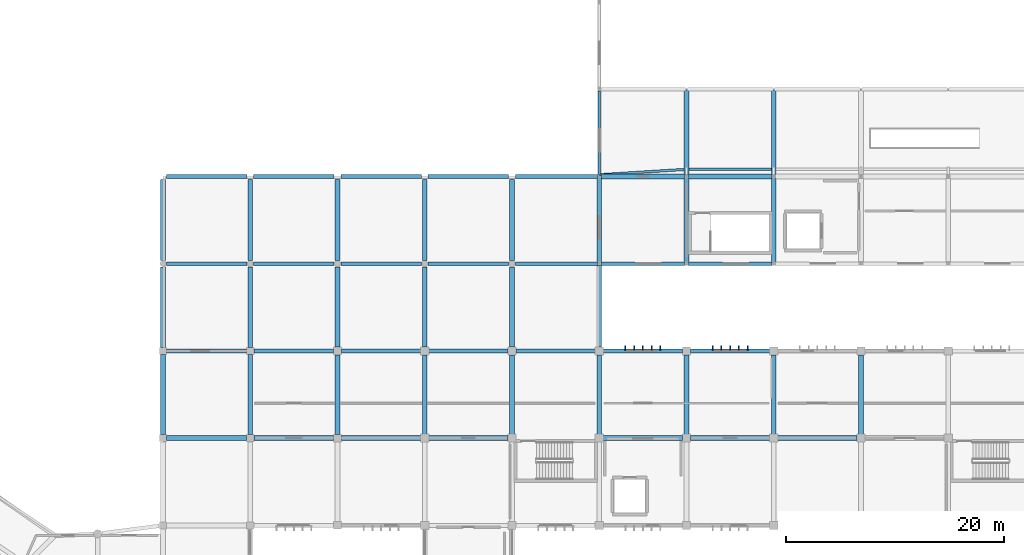
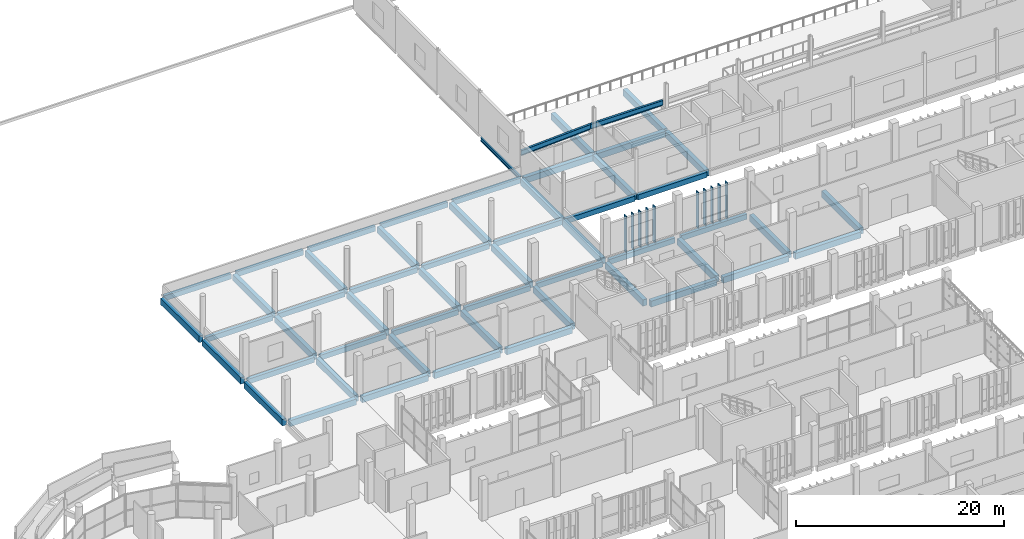
# One storey, part 44 of 106: 56 beams, 10 members.
"""IFC4 building model written with IfcOpenShell, lengths in metres."""

from ifc_helpers import new_model, si_unit, direction, frame, origin, origin_2d, place, context, subcontext, project, spatial, rectangle, i_section, extrude, material, material_profile, profile_set, type_object, element, save


model = new_model("IFC4")

# Units and contexts
model_context = context("Model", 3, precision=1e-05, world=origin(), true_north=direction((0.0, 1.0)))
body_context = subcontext(model_context, "Body", "Model", "MODEL_VIEW")
ifc_project = project(units=[si_unit("LENGTHUNIT", "METRE"), si_unit("AREAUNIT", "SQUARE_METRE"), si_unit("VOLUMEUNIT", "CUBIC_METRE"), si_unit("PLANEANGLEUNIT", "RADIAN"), si_unit("MASSUNIT", "GRAM", prefix="KILO")], contexts=[model_context])

# Site, building, storey
site_placement = place(None, origin())
site = spatial("IfcSite", under=ifc_project, at=site_placement, CompositionType="ELEMENT")
building_placement = place(site_placement, origin())
building = spatial("IfcBuilding", under=site, at=building_placement, Name="Jelvoka-Kovrelna Polytechnic", CompositionType="ELEMENT")
storey_placement = place(building_placement, frame((0.0, 0.0, 4.800048828125)))
storey = spatial("IfcBuildingStorey", under=building, at=storey_placement, Name="L02", CompositionType="ELEMENT", Elevation=4.800048828125)

# Beams
ifc_material_1 = material(Name="Concrete C40/50", Category="concrete")
ifc_material_profile_1 = material_profile(ifc_material_1, rectangle(XDim=0.449951171875, YDim=0.699951171875, at=origin_2d()), Name="RC 450x700")
ifc_profile_set_1 = profile_set([ifc_material_profile_1], Name="Concrete C40/50")
beam_type_1 = type_object("IfcBeamType", Name="Beam_RC_450x700", PredefinedType="BEAM", material=ifc_profile_set_1)
for number, where, z_axis, x_axis, name in (
    (1, (88.164306640625, 88.0, -0.630126953125), (1.0, 0.0, 0.0), (0.0, 1.0, 0.0), "L02 beam 0553"),
    (2, (96.164306640625, 88.0, -0.630126953125), (1.0, 0.0, 0.0), (0.0, 1.0, 0.0), "L02 beam 0554"),
):
    element("IfcBeam", number, at=place(storey_placement, frame(where, z_axis=z_axis, x_axis=x_axis)), inside=storey, type_object=beam_type_1, Name=name, PredefinedType="BEAM", context=body_context, shape_type="SweptSolid", body=[
        extrude(rectangle(XDim=0.449951171875, YDim=0.699951171875, at=origin_2d()), origin(), (0.0, 0.0, 1.0), 7.67138671875),
    ])
beam_1_placement = place(storey_placement, frame((56.330078125, 64.0, -0.614990234375), z_axis=(1.0, 0.0, 0.0), x_axis=(0.0, 1.0, 0.0)))
element("IfcBeam", 3, at=beam_1_placement, inside=storey, type_object=beam_type_1, Name="L02 beam 0762", PredefinedType="BEAM", context=body_context, shape_type="SweptSolid", body=[
    extrude(rectangle(XDim=0.449951171875, YDim=0.699951171875, at=origin_2d()), origin(), (0.0, 0.0, 1.0), 7.31494140625),
])
for number, where, z_axis, x_axis, name in (
    (4, (64.35498046875, 64.0, -0.614990234375), (1.0, 0.0, 0.0), (0.0, 1.0, 0.0), "L02 beam 0763"),
    (5, (72.35498046875, 64.0, -0.614990234375), (1.0, 0.0, 0.0), (0.0, 1.0, 0.0), "L02 beam 0764"),
    (6, (88.35498046875, 64.0, -0.614990234375), (1.0, 0.0, 0.0), (0.0, 1.0, 0.0), "L02 beam 0765"),
    (7, (96.35498046875, 64.0, -0.614990234375), (1.0, 0.0, 0.0), (0.0, 1.0, 0.0), "L02 beam 0766"),
    (8, (104.35498046875, 64.0, -0.614990234375), (1.0, 0.0, 0.0), (0.0, 1.0, 0.0), "L02 beam 0767"),
):
    element("IfcBeam", number, at=place(storey_placement, frame(where, z_axis=z_axis, x_axis=x_axis)), inside=storey, type_object=beam_type_1, Name=name, PredefinedType="BEAM", context=body_context, shape_type="SweptSolid", body=[
        extrude(rectangle(XDim=0.449951171875, YDim=0.699951171875, at=origin_2d()), origin(), (0.0, 0.0, 1.0), 7.2900390625),
    ])
beam_2_placement = place(storey_placement, frame((48.330078125, 64.0, -0.614990234375), z_axis=(1.0, 0.0, 0.0), x_axis=(0.0, 1.0, 0.0)))
element("IfcBeam", 9, at=beam_2_placement, inside=storey, type_object=beam_type_1, Name="L02 beam 0845", PredefinedType="BEAM", context=body_context, shape_type="SweptSolid", body=[
    extrude(rectangle(XDim=0.449951171875, YDim=0.699951171875, at=origin_2d()), origin(), (0.0, 0.0, 1.0), 7.33984375),
])
ifc_material_2 = material(Name="Concrete C40/50", Category="concrete")
ifc_material_profile_2 = material_profile(ifc_material_2, rectangle(XDim=0.449951171875, YDim=0.75, at=origin_2d()), Name="RC 450x750")
ifc_profile_set_2 = profile_set([ifc_material_profile_2], Name="Concrete C40/50")
beam_type_2 = type_object("IfcBeamType", Name="Beam_RC_450x750", PredefinedType="BEAM", material=ifc_profile_set_2)
for number, where, z_axis, x_axis, name in (
    (10, (88.0, 80.15771484375, -0.655029296875), (0.0, 1.0, 0.0), (-1.0, 0.0, 0.0), "L02 beam 0567"),
    (11, (96.0, 80.15771484375, -0.655029296875), (0.0, 1.0, 0.0), (-1.0, 0.0, 0.0), "L02 beam 0568"),
):
    element("IfcBeam", number, at=place(storey_placement, frame(where, z_axis=z_axis, x_axis=x_axis)), inside=storey, type_object=beam_type_2, Name=name, PredefinedType="BEAM", context=body_context, shape_type="SweptSolid", body=[
        extrude(rectangle(XDim=0.449951171875, YDim=0.75, at=origin_2d()), origin(), (0.0, 0.0, 1.0), 7.6845703125),
    ])
beam_3_placement = place(storey_placement, frame((96.0, 88.15771484375, -0.655029296875), z_axis=(0.0, 1.0, 0.0), x_axis=(-1.0, 0.0, 0.0)))
element("IfcBeam", 12, at=beam_3_placement, inside=storey, type_object=beam_type_2, Name="L02 beam 0569", PredefinedType="BEAM", context=body_context, shape_type="SweptSolid", body=[
    extrude(rectangle(XDim=0.449951171875, YDim=0.75, at=origin_2d()), origin(), (0.0, 0.0, 1.0), 7.735107421875),
])
beam_4_placement = place(storey_placement, frame((104.0, 80.15771484375, -0.655029296875), z_axis=(0.0, 1.0, 0.0), x_axis=(-1.0, 0.0, 0.0)))
element("IfcBeam", 13, at=beam_4_placement, inside=storey, type_object=beam_type_2, Name="L02 beam 0570", PredefinedType="BEAM", context=body_context, shape_type="SweptSolid", body=[
    extrude(rectangle(XDim=0.449951171875, YDim=0.75, at=origin_2d()), origin(), (0.0, 0.0, 1.0), 7.6845703125),
])
beam_5_placement = place(storey_placement, frame((104.0, 88.15771484375, -0.655029296875), z_axis=(0.0, 1.0, 0.0), x_axis=(-1.0, 0.0, 0.0)))
element("IfcBeam", 14, at=beam_5_placement, inside=storey, type_object=beam_type_2, Name="L02 beam 0571", PredefinedType="BEAM", context=body_context, shape_type="SweptSolid", body=[
    extrude(rectangle(XDim=0.449951171875, YDim=0.75, at=origin_2d()), origin(), (0.0, 0.0, 1.0), 7.757568359375),
])
beam_6_placement = place(storey_placement, frame((56.0, 64.330078125, -0.64013671875), z_axis=(0.0, 1.0, 0.0), x_axis=(-1.0, 0.0, 0.0)))
element("IfcBeam", 15, at=beam_6_placement, inside=storey, type_object=beam_type_2, Name="L02 beam 0776", PredefinedType="BEAM", context=body_context, shape_type="SweptSolid", body=[
    extrude(rectangle(XDim=0.449951171875, YDim=0.75, at=origin_2d()), origin(), (0.0, 0.0, 1.0), 7.33984375),
])
for number, where, z_axis, x_axis, name in (
    (16, (64.0, 64.35498046875, -0.64013671875), (0.0, 1.0, 0.0), (-1.0, 0.0, 0.0), "L02 beam 0778"),
    (17, (72.0, 64.35498046875, -0.64013671875), (0.0, 1.0, 0.0), (-1.0, 0.0, 0.0), "L02 beam 0780"),
    (18, (80.0, 64.35498046875, -0.64013671875), (0.0, 1.0, 0.0), (-1.0, 0.0, 0.0), "L02 beam 0782"),
    (19, (88.0, 64.35498046875, -0.64013671875), (0.0, 1.0, 0.0), (-1.0, 0.0, 0.0), "L02 beam 0784"),
    (20, (96.0, 64.35498046875, -0.64013671875), (0.0, 1.0, 0.0), (-1.0, 0.0, 0.0), "L02 beam 0786"),
    (21, (104.0, 64.35498046875, -0.64013671875), (0.0, 1.0, 0.0), (-1.0, 0.0, 0.0), "L02 beam 0788"),
    (22, (112.0, 64.35498046875, -0.64013671875), (0.0, 1.0, 0.0), (-1.0, 0.0, 0.0), "L02 beam 0790"),
):
    element("IfcBeam", number, at=place(storey_placement, frame(where, z_axis=z_axis, x_axis=x_axis)), inside=storey, type_object=beam_type_2, Name=name, PredefinedType="BEAM", context=body_context, shape_type="SweptSolid", body=[
        extrude(rectangle(XDim=0.449951171875, YDim=0.75, at=origin_2d()), origin(), (0.0, 0.0, 1.0), 7.2900390625),
    ])
beam_7_placement = place(storey_placement, frame((48.0, 64.330078125, -0.64013671875), z_axis=(0.0, 1.0, 0.0), x_axis=(-1.0, 0.0, 0.0)))
element("IfcBeam", 23, at=beam_7_placement, inside=storey, type_object=beam_type_2, Name="L02 beam 0852", PredefinedType="BEAM", context=body_context, shape_type="SweptSolid", body=[
    extrude(rectangle(XDim=0.449951171875, YDim=0.75, at=origin_2d()), origin(), (0.0, 0.0, 1.0), 7.33984375),
])
for number, where, z_axis, x_axis, name in (
    (24, (48.0, 72.330078125, -0.594970703125), (0.0, 1.0, 0.0), (-1.0, 0.0, 0.0), "L02 beam 2017"),
    (25, (56.0, 72.330078125, -0.594970703125), (0.0, 1.0, 0.0), (-1.0, 0.0, 0.0), "L02 beam 2018"),
):
    element("IfcBeam", number, at=place(storey_placement, frame(where, z_axis=z_axis, x_axis=x_axis)), inside=storey, type_object=beam_type_2, Name=name, PredefinedType="BEAM", context=body_context, shape_type="SweptSolid", body=[
        extrude(rectangle(XDim=0.449951171875, YDim=0.75, at=origin_2d()), origin(), (0.0, 0.0, 1.0), 7.364990234375),
    ])
for number, where, z_axis, x_axis, name in (
    (26, (64.0, 72.35498046875, -0.594970703125), (0.0, 1.0, 0.0), (-1.0, 0.0, 0.0), "L02 beam 2019"),
    (27, (72.0, 72.35498046875, -0.594970703125), (0.0, 1.0, 0.0), (-1.0, 0.0, 0.0), "L02 beam 2020"),
    (28, (80.0, 72.35498046875, -0.594970703125), (0.0, 1.0, 0.0), (-1.0, 0.0, 0.0), "L02 beam 2021"),
):
    element("IfcBeam", number, at=place(storey_placement, frame(where, z_axis=z_axis, x_axis=x_axis)), inside=storey, type_object=beam_type_2, Name=name, PredefinedType="BEAM", context=body_context, shape_type="SweptSolid", body=[
        extrude(rectangle(XDim=0.449951171875, YDim=0.75, at=origin_2d()), origin(), (0.0, 0.0, 1.0), 7.340087890625),
    ])
beam_8_placement = place(storey_placement, frame((88.0, 72.35498046875, -0.594970703125), z_axis=(0.0, 1.0, 0.0), x_axis=(-1.0, 0.0, 0.0)))
element("IfcBeam", 29, at=beam_8_placement, inside=storey, type_object=beam_type_2, Name="L02 beam 2022", PredefinedType="BEAM", context=body_context, shape_type="SweptSolid", body=[
    extrude(rectangle(XDim=0.449951171875, YDim=0.75, at=origin_2d()), origin(), (0.0, 0.0, 1.0), 7.4873046875),
])
for number, where, z_axis, x_axis, name in (
    (30, (48.0, 80.304931640625, -0.56494140625), (0.0, 1.0, 0.0), (-1.0, 0.0, 0.0), "L02 beam 2028"),
    (31, (56.0, 80.304931640625, -0.56494140625), (0.0, 1.0, 0.0), (-1.0, 0.0, 0.0), "L02 beam 2029"),
    (32, (64.0, 80.304931640625, -0.56494140625), (0.0, 1.0, 0.0), (-1.0, 0.0, 0.0), "L02 beam 2030"),
    (33, (72.0, 80.304931640625, -0.56494140625), (0.0, 1.0, 0.0), (-1.0, 0.0, 0.0), "L02 beam 2031"),
    (34, (80.0, 80.304931640625, -0.56494140625), (0.0, 1.0, 0.0), (-1.0, 0.0, 0.0), "L02 beam 2032"),
):
    element("IfcBeam", number, at=place(storey_placement, frame(where, z_axis=z_axis, x_axis=x_axis)), inside=storey, type_object=beam_type_2, Name=name, PredefinedType="BEAM", context=body_context, shape_type="SweptSolid", body=[
        extrude(rectangle(XDim=0.449951171875, YDim=0.75, at=origin_2d()), origin(), (0.0, 0.0, 1.0), 7.39013671875),
    ])
ifc_material_3 = material(Name="Structural steel S355JR", Category="steel")
ifc_material_profile_3 = material_profile(ifc_material_3, i_section(OverallWidth=0.2275390625, OverallDepth=0.6025390625, WebThickness=0.010498046875, FlangeThickness=0.014892578125, FilletRadius=0.0126953125, at=origin_2d()), Name="610x229x101 UB")
ifc_profile_set_3 = profile_set([ifc_material_profile_3], Name="Structural steel S355JR")
beam_type_3 = type_object("IfcBeamType", Name="CraneGirder_UB610", PredefinedType="USERDEFINED", material=ifc_profile_set_3)
beam_9_placement = place(storey_placement, frame((88.0, 88.14990234375, 2.501220703125), z_axis=(0.998052578483, 0.062378286155, 0.0), x_axis=(-0.062378286155, 0.998052578483, 0.0)))
element("IfcBeam", 35, at=beam_9_placement, inside=storey, type_object=beam_type_3, Name="L02 workshop crane runway girder 001", ObjectType="CRANE RUNWAY", PredefinedType="USERDEFINED", context=body_context, shape_type="SweptSolid", body=[
    extrude(i_section(OverallWidth=0.2275390625, OverallDepth=0.6025390625, WebThickness=0.010498046875, FlangeThickness=0.014892578125, FilletRadius=0.0126953125, at=origin_2d()), origin(), (0.0, 0.0, 1.0), 8.015625),
])
beam_10_placement = place(storey_placement, frame((96.0, 88.64990234375, 2.501220703125), z_axis=(1.0, 0.0, 0.0), x_axis=(0.0, 1.0, 0.0)))
element("IfcBeam", 36, at=beam_10_placement, inside=storey, type_object=beam_type_3, Name="L02 workshop crane runway girder 003", ObjectType="CRANE RUNWAY", PredefinedType="USERDEFINED", context=body_context, shape_type="SweptSolid", body=[
    extrude(i_section(OverallWidth=0.2275390625, OverallDepth=0.6025390625, WebThickness=0.010498046875, FlangeThickness=0.014892578125, FilletRadius=0.0126953125, at=origin_2d()), origin(), (0.0, 0.0, 1.0), 8.0),
])
ifc_material_4 = material(Name="Structural steel S355JR", Category="steel")
ifc_material_profile_4 = material_profile(ifc_material_4, i_section(OverallWidth=0.18994140625, OverallDepth=0.453369140625, WebThickness=0.008544921875, FlangeThickness=0.0126953125, FilletRadius=0.01025390625, at=origin_2d()), Name="457x191x67 UB")
ifc_profile_set_4 = profile_set([ifc_material_profile_4], Name="Structural steel S355JR")
beam_type_4 = type_object("IfcBeamType", Name="Girder_Steel_UB457", PredefinedType="BEAM", material=ifc_profile_set_4)
beam_11_placement = place(storey_placement, frame((88.0, 88.15771484375, -0.51171875), z_axis=(0.0, 1.0, 0.0), x_axis=(-1.0, 0.0, 0.0)))
element("IfcBeam", 37, at=beam_11_placement, inside=storey, type_object=beam_type_4, Name="L02 beam 0074", PredefinedType="BEAM", context=body_context, shape_type="SweptSolid", body=[
    extrude(i_section(OverallWidth=0.18994140625, OverallDepth=0.453369140625, WebThickness=0.008544921875, FlangeThickness=0.0126953125, FilletRadius=0.01025390625, at=origin_2d()), origin(), (0.0, 0.0, 1.0), 7.6845703125),
])

# Members
ifc_material_5 = material(Name="Precast concrete C40/50", Category="concrete")
ifc_material_profile_5 = material_profile(ifc_material_5, rectangle(XDim=0.10009765625, YDim=0.449951171875, at=origin_2d()), Name="PC 100x450")
ifc_profile_set_5 = profile_set([ifc_material_profile_5], Name="Precast concrete C40/50")
member_type = type_object("IfcMemberType", Name="Louvre_Fin_100x450", PredefinedType="USERDEFINED", material=ifc_profile_set_5)
for number, where, z_axis, x_axis, name in (
    (38, (90.39990234375, 72.264892578125, -0.27001953125), (0.0, 0.0, 1.0), (1.0, 0.0, 0.0), "L02 B3 north vertical solar louvre fin 1341"),
    (39, (91.199951171875, 72.264892578125, -0.27001953125), (0.0, 0.0, 1.0), (1.0, 0.0, 0.0), "L02 B3 north vertical solar louvre fin 1342"),
    (40, (92.0, 72.264892578125, -0.27001953125), (0.0, 0.0, 1.0), (1.0, 0.0, 0.0), "L02 B3 north vertical solar louvre fin 1343"),
    (41, (92.800048828125, 72.264892578125, -0.27001953125), (0.0, 0.0, 1.0), (1.0, 0.0, 0.0), "L02 B3 north vertical solar louvre fin 1344"),
    (42, (93.60009765625, 72.264892578125, -0.27001953125), (0.0, 0.0, 1.0), (1.0, 0.0, 0.0), "L02 B3 north vertical solar louvre fin 1345"),
    (43, (98.39990234375, 72.264892578125, -0.27001953125), (0.0, 0.0, 1.0), (1.0, 0.0, 0.0), "L02 B3 north vertical solar louvre fin 1351"),
    (44, (99.199951171875, 72.264892578125, -0.27001953125), (0.0, 0.0, 1.0), (1.0, 0.0, 0.0), "L02 B3 north vertical solar louvre fin 1352"),
    (45, (100.0, 72.264892578125, -0.27001953125), (0.0, 0.0, 1.0), (1.0, 0.0, 0.0), "L02 B3 north vertical solar louvre fin 1353"),
    (46, (100.800048828125, 72.264892578125, -0.27001953125), (0.0, 0.0, 1.0), (1.0, 0.0, 0.0), "L02 B3 north vertical solar louvre fin 1354"),
    (47, (101.60009765625, 72.264892578125, -0.27001953125), (0.0, 0.0, 1.0), (1.0, 0.0, 0.0), "L02 B3 north vertical solar louvre fin 1355"),
):
    element("IfcMember", number, at=place(storey_placement, frame(where, z_axis=z_axis, x_axis=x_axis)), inside=storey, type_object=member_type, Name=name, ObjectType="SUNSHADE", PredefinedType="USERDEFINED", context=body_context, shape_type="SweptSolid", body=[
        extrude(rectangle(XDim=0.10009765625, YDim=0.449951171875, at=origin_2d()), origin(), (0.0, 0.0, 1.0), 4.22998046875),
    ])

# Beams
ifc_material_6 = material(Name="Concrete C40/50", Category="concrete")
ifc_material_profile_6 = material_profile(ifc_material_6, rectangle(XDim=0.35009765625, YDim=0.60009765625, at=origin_2d()), Name="RC 350x600")
ifc_profile_set_6 = profile_set([ifc_material_profile_6], Name="Concrete C40/50")
beam_type_5 = type_object("IfcBeamType", Name="Spandrel_RC_350x600", PredefinedType="SPANDREL", material=ifc_profile_set_6)
for number, where, z_axis, x_axis, name in (
    (48, (88.164306640625, 80.0, -0.580078125), (1.0, 0.0, 0.0), (0.0, 1.0, 0.0), "L02 beam 0546"),
    (49, (96.164306640625, 80.0, -0.580078125), (1.0, 0.0, 0.0), (0.0, 1.0, 0.0), "L02 beam 0547"),
):
    element("IfcBeam", number, at=place(storey_placement, frame(where, z_axis=z_axis, x_axis=x_axis)), inside=storey, type_object=beam_type_5, Name=name, PredefinedType="SPANDREL", context=body_context, shape_type="SweptSolid", body=[
        extrude(rectangle(XDim=0.35009765625, YDim=0.60009765625, at=origin_2d()), origin(), (0.0, 0.0, 1.0), 7.67138671875),
    ])
beam_12_placement = place(storey_placement, frame((56.330078125, 72.0, -0.56494140625), z_axis=(1.0, 0.0, 0.0), x_axis=(0.0, 1.0, 0.0)))
element("IfcBeam", 50, at=beam_12_placement, inside=storey, type_object=beam_type_5, Name="L02 beam 0768", PredefinedType="SPANDREL", context=body_context, shape_type="SweptSolid", body=[
    extrude(rectangle(XDim=0.35009765625, YDim=0.60009765625, at=origin_2d()), origin(), (0.0, 0.0, 1.0), 7.31494140625),
])
for number, where, z_axis, x_axis, name in (
    (51, (64.35498046875, 72.0, -0.56494140625), (1.0, 0.0, 0.0), (0.0, 1.0, 0.0), "L02 beam 0769"),
    (52, (72.35498046875, 72.0, -0.56494140625), (1.0, 0.0, 0.0), (0.0, 1.0, 0.0), "L02 beam 0770"),
    (53, (80.35498046875, 72.0, -0.56494140625), (1.0, 0.0, 0.0), (0.0, 1.0, 0.0), "L02 beam 0771"),
    (54, (88.35498046875, 72.0, -0.56494140625), (1.0, 0.0, 0.0), (0.0, 1.0, 0.0), "L02 beam 0772"),
    (55, (96.35498046875, 72.0, -0.56494140625), (1.0, 0.0, 0.0), (0.0, 1.0, 0.0), "L02 beam 0773"),
):
    element("IfcBeam", number, at=place(storey_placement, frame(where, z_axis=z_axis, x_axis=x_axis)), inside=storey, type_object=beam_type_5, Name=name, PredefinedType="SPANDREL", context=body_context, shape_type="SweptSolid", body=[
        extrude(rectangle(XDim=0.35009765625, YDim=0.60009765625, at=origin_2d()), origin(), (0.0, 0.0, 1.0), 7.2900390625),
    ])
beam_13_placement = place(storey_placement, frame((48.330078125, 72.0, -0.56494140625), z_axis=(1.0, 0.0, 0.0), x_axis=(0.0, 1.0, 0.0)))
element("IfcBeam", 56, at=beam_13_placement, inside=storey, type_object=beam_type_5, Name="L02 beam 0846", PredefinedType="SPANDREL", context=body_context, shape_type="SweptSolid", body=[
    extrude(rectangle(XDim=0.35009765625, YDim=0.60009765625, at=origin_2d()), origin(), (0.0, 0.0, 1.0), 7.33984375),
])
for number, where, z_axis, x_axis, name in (
    (57, (48.304931640625, 80.0, -0.52001953125), (1.0, 0.0, 0.0), (0.0, 1.0, 0.0), "L02 beam 2012"),
    (58, (56.304931640625, 80.0, -0.52001953125), (1.0, 0.0, 0.0), (0.0, 1.0, 0.0), "L02 beam 2013"),
    (59, (64.304931640625, 80.0, -0.52001953125), (1.0, 0.0, 0.0), (0.0, 1.0, 0.0), "L02 beam 2014"),
    (60, (72.304931640625, 80.0, -0.52001953125), (1.0, 0.0, 0.0), (0.0, 1.0, 0.0), "L02 beam 2015"),
):
    element("IfcBeam", number, at=place(storey_placement, frame(where, z_axis=z_axis, x_axis=x_axis)), inside=storey, type_object=beam_type_5, Name=name, PredefinedType="SPANDREL", context=body_context, shape_type="SweptSolid", body=[
        extrude(rectangle(XDim=0.35009765625, YDim=0.60009765625, at=origin_2d()), origin(), (0.0, 0.0, 1.0), 7.39013671875),
    ])
beam_14_placement = place(storey_placement, frame((80.304931640625, 80.0, -0.52001953125), z_axis=(1.0, 0.0, 0.0), x_axis=(0.0, 1.0, 0.0)))
element("IfcBeam", 61, at=beam_14_placement, inside=storey, type_object=beam_type_5, Name="L02 beam 2016", PredefinedType="SPANDREL", context=body_context, shape_type="SweptSolid", body=[
    extrude(rectangle(XDim=0.35009765625, YDim=0.60009765625, at=origin_2d()), origin(), (0.0, 0.0, 1.0), 7.53076171875),
])
for number, where, z_axis, x_axis, name in (
    (62, (48.304931640625, 88.0, -0.489990234375), (1.0, 0.0, 0.0), (0.0, 1.0, 0.0), "L02 beam 2023"),
    (63, (56.304931640625, 88.0, -0.489990234375), (1.0, 0.0, 0.0), (0.0, 1.0, 0.0), "L02 beam 2024"),
    (64, (64.304931640625, 88.0, -0.489990234375), (1.0, 0.0, 0.0), (0.0, 1.0, 0.0), "L02 beam 2025"),
    (65, (72.304931640625, 88.0, -0.489990234375), (1.0, 0.0, 0.0), (0.0, 1.0, 0.0), "L02 beam 2026"),
):
    element("IfcBeam", number, at=place(storey_placement, frame(where, z_axis=z_axis, x_axis=x_axis)), inside=storey, type_object=beam_type_5, Name=name, PredefinedType="SPANDREL", context=body_context, shape_type="SweptSolid", body=[
        extrude(rectangle(XDim=0.35009765625, YDim=0.60009765625, at=origin_2d()), origin(), (0.0, 0.0, 1.0), 7.39013671875),
    ])
beam_15_placement = place(storey_placement, frame((80.304931640625, 88.0, -0.489990234375), z_axis=(1.0, 0.0, 0.0), x_axis=(0.0, 1.0, 0.0)))
element("IfcBeam", 66, at=beam_15_placement, inside=storey, type_object=beam_type_5, Name="L02 beam 2027", PredefinedType="SPANDREL", context=body_context, shape_type="SweptSolid", body=[
    extrude(rectangle(XDim=0.35009765625, YDim=0.60009765625, at=origin_2d()), origin(), (0.0, 0.0, 1.0), 7.53076171875),
])

save(model, "model.ifc")
